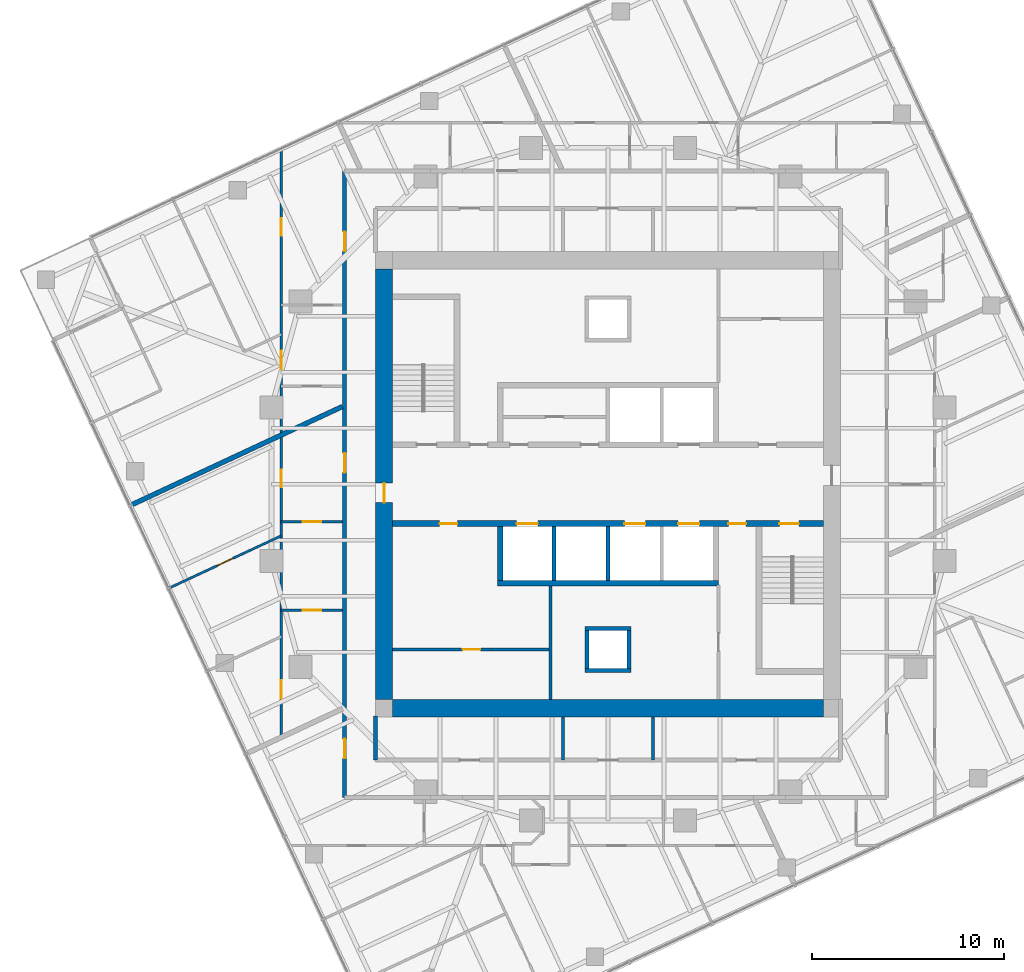
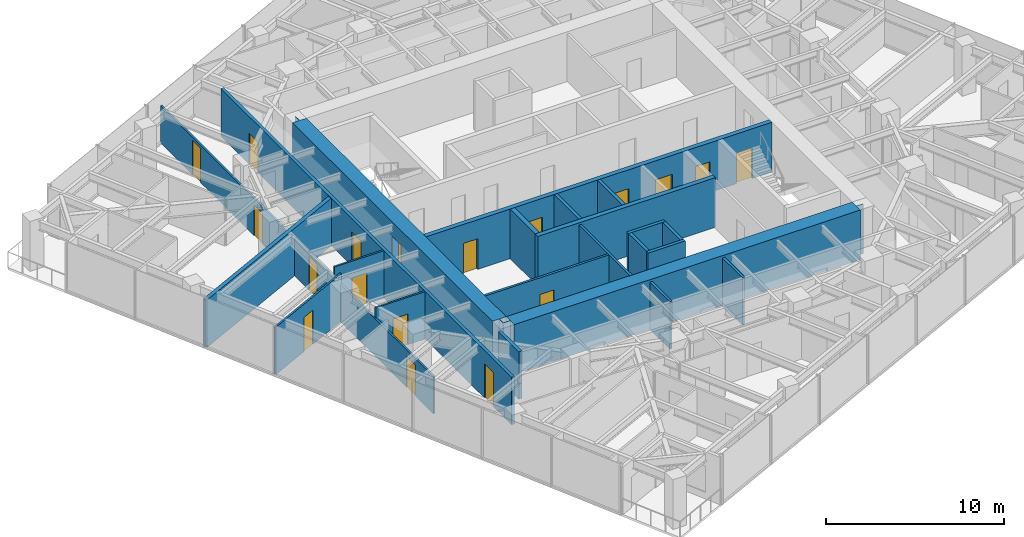
# One storey, part 8 of 13: 22 walls, 18 doors, 18 openings.
"""IFC4 building model written with IfcOpenShell, lengths in metres."""

from ifc_helpers import new_model, si_unit, direction, frame, frame_2d, origin, place, context, subcontext, project, spatial, polyline, rectangle, outline, extrude, material, layer, layer_set, type_object, element, fill, save


model = new_model("IFC4")

# Units and contexts
model_context = context("Model", 3, precision=1e-05, world=origin(), true_north=direction((0.0, 1.0)))
body_context = subcontext(model_context, "Body", "Model", "MODEL_VIEW")
ifc_project = project(units=[si_unit("LENGTHUNIT", "METRE"), si_unit("AREAUNIT", "SQUARE_METRE"), si_unit("VOLUMEUNIT", "CUBIC_METRE"), si_unit("PLANEANGLEUNIT", "RADIAN"), si_unit("MASSUNIT", "GRAM", prefix="KILO")], contexts=[model_context])

# Site, building, storey
site_placement = place(None, origin())
site = spatial("IfcSite", under=ifc_project, at=site_placement, CompositionType="ELEMENT")
building_placement = place(site_placement, origin())
building = spatial("IfcBuilding", under=site, at=building_placement, Name="Torsade Residences", CompositionType="ELEMENT")
storey_placement = place(building_placement, frame((0.0, 0.0, 179.39990234375)))
storey = spatial("IfcBuildingStorey", under=building, at=storey_placement, Name="L49", CompositionType="ELEMENT", Elevation=179.39990234375)

# Wall, openings, doors
ifc_material_1 = material(Name="Concrete 80 MPa", Category="concrete")
ifc_layer_1 = layer(ifc_material_1, 0.300048828125)
ifc_layer_set_1 = layer_set([ifc_layer_1], Name="Concrete 80 MPa")
wall_type_1 = type_object("IfcWallType", Name="CORE INTERNAL WALL 300", PredefinedType="SHEAR", material=ifc_layer_set_1)
wall_1_placement = place(storey_placement, frame((51.199951171875, 27.949951171875, 0.0), z_axis=(0.0, 0.0, 1.0), x_axis=(-1.0, 0.0, 0.0)))
wall_1 = element("IfcWall", 1, at=wall_1_placement, inside=storey, type_object=wall_type_1, Name="Core wall LS L49", PredefinedType="SHEAR", context=body_context, shape_type="SweptSolid", body=[
    extrude(rectangle(XDim=22.39990234375, YDim=0.300048828125, at=frame_2d((11.199951171875, 0.0))), origin(), (0.0, 0.0, 1.0), 3.400146484375),
])
opening_1_placement = place(wall_1_placement, frame((19.0400390625, 0.0, 0.0)))
opening_1 = element("IfcOpeningElement", 2, at=opening_1_placement, cuts=wall_1, Name="Opening D06", PredefinedType="OPENING", context=body_context, shape_type="SweptSolid", body=[
    extrude(rectangle(XDim=0.919921875, YDim=2.10009765625, at=frame_2d((0.4599609375, 1.050048828125))), frame((0.0, 0.159912109375, 0.0), z_axis=(0.0, -1.0, 0.0), x_axis=(1.0, 0.0, 0.0)), (0.0, 0.0, 1.0), 0.320068359375),
])
opening_2_placement = place(wall_1_placement, frame((1.264892578125, 0.0, 0.0)))
opening_2 = element("IfcOpeningElement", 3, at=opening_2_placement, cuts=wall_1, Name="Opening D03", PredefinedType="OPENING", context=body_context, shape_type="SweptSolid", body=[
    extrude(rectangle(XDim=1.02001953125, YDim=2.10009765625, at=frame_2d((0.510009765625, 1.050048828125))), frame((0.0, 0.159912109375, 0.0), z_axis=(0.0, -1.0, 0.0), x_axis=(1.0, 0.0, 0.0)), (0.0, 0.0, 1.0), 0.320068359375),
])
opening_3_placement = place(wall_1_placement, frame((4.014892578125, 0.0, 0.0)))
opening_3 = element("IfcOpeningElement", 4, at=opening_3_placement, cuts=wall_1, Name="Opening D06", PredefinedType="OPENING", context=body_context, shape_type="SweptSolid", body=[
    extrude(rectangle(XDim=0.919921875, YDim=2.10009765625, at=frame_2d((0.4599609375, 1.050048828125))), frame((0.0, 0.159912109375, 0.0), z_axis=(0.0, -1.0, 0.0), x_axis=(1.0, 0.0, 0.0)), (0.0, 0.0, 1.0), 0.320068359375),
])
opening_4_placement = place(wall_1_placement, frame((6.449951171875, 0.0, 0.0)))
opening_4 = element("IfcOpeningElement", 5, at=opening_4_placement, cuts=wall_1, Name="Opening LD", PredefinedType="OPENING", context=body_context, shape_type="SweptSolid", body=[
    extrude(rectangle(XDim=1.10009765625, YDim=2.10009765625, at=frame_2d((0.550048828125, 1.050048828125))), frame((0.0, 0.159912109375, 0.0), z_axis=(0.0, -1.0, 0.0), x_axis=(1.0, 0.0, 0.0)), (0.0, 0.0, 1.0), 0.320068359375),
])
opening_5_placement = place(wall_1_placement, frame((9.25, 0.0, 0.0)))
opening_5 = element("IfcOpeningElement", 6, at=opening_5_placement, cuts=wall_1, Name="Opening LD", PredefinedType="OPENING", context=body_context, shape_type="SweptSolid", body=[
    extrude(rectangle(XDim=1.10009765625, YDim=2.10009765625, at=frame_2d((0.550048828125, 1.050048828125))), frame((0.0, 0.159912109375, 0.0), z_axis=(0.0, -1.0, 0.0), x_axis=(1.0, 0.0, 0.0)), (0.0, 0.0, 1.0), 0.320068359375),
])
opening_6_placement = place(wall_1_placement, frame((14.85009765625, 0.0, 0.0)))
opening_6 = element("IfcOpeningElement", 7, at=opening_6_placement, cuts=wall_1, Name="Opening LD", PredefinedType="OPENING", context=body_context, shape_type="SweptSolid", body=[
    extrude(rectangle(XDim=1.10009765625, YDim=2.10009765625, at=frame_2d((0.550048828125, 1.050048828125))), frame((0.0, 0.159912109375, 0.0), z_axis=(0.0, -1.0, 0.0), x_axis=(1.0, 0.0, 0.0)), (0.0, 0.0, 1.0), 0.320068359375),
])
ifc_material_2 = material(Name="Steel-framed fire door", Category="steel")
door_type_1 = type_object("IfcDoorType", Name="FIRE DOOR 1020", OperationType="NOTDEFINED", PredefinedType="DOOR", material=ifc_material_2)
door_1_placement = place(opening_2_placement, origin())
door_1 = element("IfcDoor", 8, at=door_1_placement, inside=storey, type_object=door_type_1, Name="Exit door to fire-isolated stair ST2 L49", OperationType="SINGLE_SWING_RIGHT", OverallHeight=2.10009765625, OverallWidth=1.02001953125, PredefinedType="DOOR", context=body_context, shape_type="SweptSolid", body=[
    extrude(rectangle(XDim=1.02001953125, YDim=2.10009765625, at=frame_2d((0.510009765625, 1.050048828125))), frame((0.0, 0.02490234375, 0.0), z_axis=(0.0, -1.0, 0.0), x_axis=(1.0, 0.0, 0.0)), (0.0, 0.0, 1.0), 0.050048828125),
])
fill(opening_2, door_1)
ifc_material_3 = material(Name="Steel-framed fire door", Category="steel")
door_type_2 = type_object("IfcDoorType", Name="FIRE DOOR 920", OperationType="NOTDEFINED", PredefinedType="DOOR", material=ifc_material_3)
door_2_placement = place(opening_1_placement, origin())
door_2 = element("IfcDoor", 9, at=door_2_placement, inside=storey, type_object=door_type_2, Name="Door Lift lobby to Cleaner store", OperationType="SINGLE_SWING_LEFT", OverallHeight=2.10009765625, OverallWidth=0.919921875, PredefinedType="DOOR", context=body_context, shape_type="SweptSolid", body=[
    extrude(rectangle(XDim=0.919921875, YDim=2.10009765625, at=frame_2d((0.4599609375, 1.050048828125))), frame((0.0, 0.02490234375, 0.0), z_axis=(0.0, -1.0, 0.0), x_axis=(1.0, 0.0, 0.0)), (0.0, 0.0, 1.0), 0.050048828125),
])
fill(opening_1, door_2)
door_3_placement = place(opening_3_placement, origin())
door_3 = element("IfcDoor", 10, at=door_3_placement, inside=storey, type_object=door_type_2, Name="Door Lift lobby to Communications equipment store", OperationType="SINGLE_SWING_RIGHT", OverallHeight=2.10009765625, OverallWidth=0.919921875, PredefinedType="DOOR", context=body_context, shape_type="SweptSolid", body=[
    extrude(rectangle(XDim=0.919921875, YDim=2.10009765625, at=frame_2d((0.4599609375, 1.050048828125))), frame((0.0, 0.02490234375, 0.0), z_axis=(0.0, -1.0, 0.0), x_axis=(1.0, 0.0, 0.0)), (0.0, 0.0, 1.0), 0.050048828125),
])
fill(opening_3, door_3)
ifc_material_4 = material(Name="Stainless steel lift landing door", Category="steel")
door_type_3 = type_object("IfcDoorType", Name="LIFT LANDING DOOR 1100", OperationType="SLIDING_TO_LEFT", PredefinedType="DOOR", material=ifc_material_4)
door_4_placement = place(opening_4_placement, origin())
door_4 = element("IfcDoor", 11, at=door_4_placement, inside=storey, type_object=door_type_3, Name="Lift LB1 landing door L49", OperationType="SLIDING_TO_LEFT", OverallHeight=2.10009765625, OverallWidth=1.10009765625, PredefinedType="DOOR", context=body_context, shape_type="SweptSolid", body=[
    extrude(rectangle(XDim=1.10009765625, YDim=2.10009765625, at=frame_2d((0.550048828125, 1.050048828125))), frame((0.0, 0.02490234375, 0.0), z_axis=(0.0, -1.0, 0.0), x_axis=(1.0, 0.0, 0.0)), (0.0, 0.0, 1.0), 0.050048828125),
])
fill(opening_4, door_4)
door_5_placement = place(opening_5_placement, origin())
door_5 = element("IfcDoor", 12, at=door_5_placement, inside=storey, type_object=door_type_3, Name="Lift LB2 landing door L49", OperationType="SLIDING_TO_LEFT", OverallHeight=2.10009765625, OverallWidth=1.10009765625, PredefinedType="DOOR", context=body_context, shape_type="SweptSolid", body=[
    extrude(rectangle(XDim=1.10009765625, YDim=2.10009765625, at=frame_2d((0.550048828125, 1.050048828125))), frame((0.0, 0.02490234375, 0.0), z_axis=(0.0, -1.0, 0.0), x_axis=(1.0, 0.0, 0.0)), (0.0, 0.0, 1.0), 0.050048828125),
])
fill(opening_5, door_5)
door_6_placement = place(opening_6_placement, origin())
door_6 = element("IfcDoor", 13, at=door_6_placement, inside=storey, type_object=door_type_3, Name="Lift FL2 landing door L49", OperationType="SLIDING_TO_LEFT", OverallHeight=2.10009765625, OverallWidth=1.10009765625, PredefinedType="DOOR", context=body_context, shape_type="SweptSolid", body=[
    extrude(rectangle(XDim=1.10009765625, YDim=2.10009765625, at=frame_2d((0.550048828125, 1.050048828125))), frame((0.0, 0.02490234375, 0.0), z_axis=(0.0, -1.0, 0.0), x_axis=(1.0, 0.0, 0.0)), (0.0, 0.0, 1.0), 0.050048828125),
])
fill(opening_6, door_6)

# Walls
wall_2_placement = place(storey_placement, frame((45.75, 24.85009765625, 0.0), z_axis=(0.0, 0.0, 1.0), x_axis=(-1.0, 0.0, 0.0)))
element("IfcWall", 14, at=wall_2_placement, inside=storey, type_object=wall_type_1, Name="Core wall BS L49", PredefinedType="SHEAR", context=body_context, shape_type="SweptSolid", body=[
    extrude(rectangle(XDim=11.5, YDim=0.300048828125, at=frame_2d((5.75, 0.0))), origin(), (0.0, 0.0, 1.0), 3.400146484375),
])
wall_3_placement = place(storey_placement, frame((34.39990234375, 27.800048828125, 0.0), z_axis=(0.0, 0.0, 1.0), x_axis=(0.0, -1.0, 0.0)))
element("IfcWall", 15, at=wall_3_placement, inside=storey, type_object=wall_type_1, Name="Core wall DS4 L49", PredefinedType="SHEAR", context=body_context, shape_type="SweptSolid", body=[
    extrude(rectangle(XDim=2.800048828125, YDim=0.300048828125, at=frame_2d((1.39990234375, 0.0))), origin(), (0.0, 0.0, 1.0), 3.400146484375),
])
ifc_material_5 = material(Name="Concrete 80 MPa", Category="concrete")
ifc_layer_2 = layer(ifc_material_5, 0.89990234375)
ifc_layer_set_2 = layer_set([ifc_layer_2], Name="Concrete 80 MPa")
wall_type_2 = type_object("IfcWallType", Name="CORE WALL 900", PredefinedType="SHEAR", material=ifc_layer_set_2)
wall_4_placement = place(storey_placement, frame((51.199951171875, 18.35009765625, 0.0), z_axis=(0.0, 0.0, 1.0), x_axis=(-1.0, 0.0, 0.0)))
element("IfcWall", 16, at=wall_4_placement, inside=storey, type_object=wall_type_2, Name="Core wall S L49", PredefinedType="SHEAR", context=body_context, shape_type="SweptSolid", body=[
    extrude(outline(polyline([(0.0, -0.449951171875), (22.39990234375, -0.449951171875), (22.39990234375, -0.02490234375), (22.849853515625, -0.02490234375), (22.849853515625, 0.02490234375), (22.39990234375, 0.02490234375), (22.39990234375, 0.449951171875), (0.0, 0.449951171875), (0.0, 0.02490234375), (-0.449951171875, 0.02490234375), (-0.449951171875, -0.02490234375), (0.0, -0.02490234375), (0.0, -0.449951171875)])), origin(), (0.0, 0.0, 1.0), 3.400146484375),
])

# Wall, opening, door
wall_5_placement = place(storey_placement, frame((28.35009765625, 41.199951171875, 0.0), z_axis=(0.0, 0.0, 1.0), x_axis=(0.0, -1.0, 0.0)))
wall_5 = element("IfcWall", 17, at=wall_5_placement, inside=storey, type_object=wall_type_2, Name="Core wall W L49", PredefinedType="SHEAR", context=body_context, shape_type="SweptSolid", body=[
    extrude(outline(polyline([(0.0, -0.449951171875), (22.39990234375, -0.449951171875), (22.39990234375, -0.02490234375), (22.849853515625, -0.02490234375), (22.849853515625, 0.02490234375), (22.39990234375, 0.02490234375), (22.39990234375, 0.449951171875), (0.0, 0.449951171875), (0.0, 0.02490234375), (-0.449951171875, 0.02490234375), (-0.449951171875, -0.02490234375), (0.0, -0.02490234375), (0.0, -0.449951171875)])), origin(), (0.0, 0.0, 1.0), 3.400146484375),
])
opening_7_placement = place(wall_5_placement, frame((11.139892578125, 0.0, 0.0)))
opening_7 = element("IfcOpeningElement", 18, at=opening_7_placement, cuts=wall_5, Name="Opening D04", PredefinedType="OPENING", context=body_context, shape_type="SweptSolid", body=[
    extrude(rectangle(XDim=1.02001953125, YDim=2.39990234375, at=frame_2d((0.510009765625, 1.199951171875))), frame((0.0, 0.4599609375, 0.0), z_axis=(0.0, -1.0, 0.0), x_axis=(1.0, 0.0, 0.0)), (0.0, 0.0, 1.0), 0.919921875),
])
ifc_material_6 = material(Name="Steel-framed fire door", Category="steel")
door_type_4 = type_object("IfcDoorType", Name="LOBBY SMOKE DOOR 1020x2400", OperationType="NOTDEFINED", PredefinedType="DOOR", material=ifc_material_6)
door_7_placement = place(opening_7_placement, origin())
door_7 = element("IfcDoor", 19, at=door_7_placement, inside=storey, type_object=door_type_4, Name="Lift lobby door W L49", OperationType="SINGLE_SWING_RIGHT", OverallHeight=2.39990234375, OverallWidth=1.02001953125, PredefinedType="DOOR", context=body_context, shape_type="SweptSolid", body=[
    extrude(rectangle(XDim=1.02001953125, YDim=2.39990234375, at=frame_2d((0.510009765625, 1.199951171875))), frame((0.0, 0.02490234375, 0.0), z_axis=(0.0, -1.0, 0.0), x_axis=(1.0, 0.0, 0.0)), (0.0, 0.0, 1.0), 0.050048828125),
])
fill(opening_7, door_7)

# Wall, openings, doors
ifc_material_7 = material(Name="Plasterboard on steel stud", Category="steel")
ifc_layer_3 = layer(ifc_material_7, 0.199951171875)
ifc_layer_set_3 = layer_set([ifc_layer_3], Name="Plasterboard on steel stud")
wall_type_3 = type_object("IfcWallType", Name="CORRIDOR WALL 200", PredefinedType="PARTITIONING", material=ifc_layer_set_3)
wall_6_placement = place(storey_placement, frame((26.300048828125, 46.300048828125, 0.0), z_axis=(0.0, 0.0, 1.0), x_axis=(0.0, -1.0, 0.0)))
wall_6 = element("IfcWall", 20, at=wall_6_placement, inside=storey, type_object=wall_type_3, Name="Corridor wall L49", PredefinedType="PARTITIONING", context=body_context, shape_type="SweptSolid", body=[
    extrude(rectangle(XDim=32.60009765625, YDim=0.199951171875, at=frame_2d((16.300048828125, 0.0))), origin(), (0.0, 0.0, 1.0), 3.25),
])
opening_8_placement = place(wall_6_placement, frame((3.156005859375, 0.0, 0.0)))
opening_8 = element("IfcOpeningElement", 21, at=opening_8_placement, cuts=wall_6, Name="Opening D01L", PredefinedType="OPENING", context=body_context, shape_type="SweptSolid", body=[
    extrude(rectangle(XDim=1.02001953125, YDim=2.10009765625, at=frame_2d((0.510009765625, 1.050048828125))), frame((0.0, 0.10986328125, 0.0), z_axis=(0.0, -1.0, 0.0), x_axis=(1.0, 0.0, 0.0)), (0.0, 0.0, 1.0), 0.219970703125),
])
opening_9_placement = place(wall_6_placement, frame((14.68017578125, 0.0, 0.0)))
opening_9 = element("IfcOpeningElement", 22, at=opening_9_placement, cuts=wall_6, Name="Opening D01", PredefinedType="OPENING", context=body_context, shape_type="SweptSolid", body=[
    extrude(rectangle(XDim=1.02001953125, YDim=2.340087890625, at=frame_2d((0.510009765625, 1.169921875))), frame((0.0, 0.10986328125, 0.0), z_axis=(0.0, -1.0, 0.0), x_axis=(1.0, 0.0, 0.0)), (0.0, 0.0, 1.0), 0.219970703125),
])
opening_10_placement = place(wall_6_placement, frame((29.54345703125, 0.0, 0.0)))
opening_10 = element("IfcOpeningElement", 23, at=opening_10_placement, cuts=wall_6, Name="Opening D01", PredefinedType="OPENING", context=body_context, shape_type="SweptSolid", body=[
    extrude(rectangle(XDim=1.02001953125, YDim=2.340087890625, at=frame_2d((0.510009765625, 1.169921875))), frame((0.0, 0.10986328125, 0.0), z_axis=(0.0, -1.0, 0.0), x_axis=(1.0, 0.0, 0.0)), (0.0, 0.0, 1.0), 0.219970703125),
])
ifc_material_8 = material(Name="Solid-core timber fire door", Category="wood")
door_type_5 = type_object("IfcDoorType", Name="APARTMENT ENTRY DOOR 1020x2100", OperationType="NOTDEFINED", PredefinedType="DOOR", material=ifc_material_8)
door_8_placement = place(opening_8_placement, origin())
door_8 = element("IfcDoor", 24, at=door_8_placement, inside=storey, type_object=door_type_5, Name="Door Residential corridor to Kitchen and dining", OperationType="SINGLE_SWING_LEFT", OverallHeight=2.10009765625, OverallWidth=1.02001953125, PredefinedType="DOOR", context=body_context, shape_type="SweptSolid", body=[
    extrude(rectangle(XDim=1.02001953125, YDim=2.10009765625, at=frame_2d((0.510009765625, 1.050048828125))), frame((0.0, 0.02490234375, 0.0), z_axis=(0.0, -1.0, 0.0), x_axis=(1.0, 0.0, 0.0)), (0.0, 0.0, 1.0), 0.050048828125),
])
fill(opening_8, door_8)
ifc_material_9 = material(Name="Solid-core timber fire door", Category="wood")
door_type_6 = type_object("IfcDoorType", Name="APARTMENT ENTRY DOOR 1020x2340", OperationType="NOTDEFINED", PredefinedType="DOOR", material=ifc_material_9)
door_9_placement = place(opening_9_placement, origin())
door_9 = element("IfcDoor", 25, at=door_9_placement, inside=storey, type_object=door_type_6, Name="Door Residential corridor to Kitchen and dining", OperationType="SINGLE_SWING_RIGHT", OverallHeight=2.340087890625, OverallWidth=1.02001953125, PredefinedType="DOOR", context=body_context, shape_type="SweptSolid", body=[
    extrude(rectangle(XDim=1.02001953125, YDim=2.340087890625, at=frame_2d((0.510009765625, 1.169921875))), frame((0.0, 0.02490234375, 0.0), z_axis=(0.0, -1.0, 0.0), x_axis=(1.0, 0.0, 0.0)), (0.0, 0.0, 1.0), 0.050048828125),
])
fill(opening_9, door_9)
door_10_placement = place(opening_10_placement, origin())
door_10 = element("IfcDoor", 26, at=door_10_placement, inside=storey, type_object=door_type_6, Name="Door Residential corridor to Kitchen and dining", OperationType="SINGLE_SWING_RIGHT", OverallHeight=2.340087890625, OverallWidth=1.02001953125, PredefinedType="DOOR", context=body_context, shape_type="SweptSolid", body=[
    extrude(rectangle(XDim=1.02001953125, YDim=2.340087890625, at=frame_2d((0.510009765625, 1.169921875))), frame((0.0, 0.02490234375, 0.0), z_axis=(0.0, -1.0, 0.0), x_axis=(1.0, 0.0, 0.0)), (0.0, 0.0, 1.0), 0.050048828125),
])
fill(opening_10, door_10)

# Walls
wall_7_placement = place(storey_placement, frame((27.89990234375, 17.949951171875, 0.0), z_axis=(0.0, 0.0, 1.0), x_axis=(0.0, -1.0, 0.0)))
element("IfcWall", 27, at=wall_7_placement, inside=storey, type_object=wall_type_3, Name="Corridor wall L49", PredefinedType="PARTITIONING", context=body_context, shape_type="SweptSolid", body=[
    extrude(rectangle(XDim=2.300048828125, YDim=0.199951171875, at=frame_2d((1.14990234375, 0.0))), origin(), (0.0, 0.0, 1.0), 3.25),
])
ifc_material_10 = material(Name="Reinforced blockwork", Category="masonry")
ifc_layer_4 = layer(ifc_material_10, 0.199951171875)
ifc_layer_set_4 = layer_set([ifc_layer_4], Name="Reinforced blockwork")
wall_type_4 = type_object("IfcWallType", Name="LIFT SHAFT DIVIDING WALL 200", PredefinedType="SOLIDWALL", material=ifc_layer_set_4)
for number, where, z_axis, x_axis, name in (
    (28, (40.0, 27.800048828125, 0.0), (0.0, 0.0, 1.0), (0.0, -1.0, 0.0), "Core wall DS2 L49"),
    (29, (37.199951171875, 27.800048828125, 0.0), (0.0, 0.0, 1.0), (0.0, -1.0, 0.0), "Core wall DS3 L49"),
):
    element("IfcWall", number, at=place(storey_placement, frame(where, z_axis=z_axis, x_axis=x_axis)), inside=storey, type_object=wall_type_4, Name=name, PredefinedType="SOLIDWALL", context=body_context, shape_type="SweptSolid", body=[
        extrude(rectangle(XDim=2.800048828125, YDim=0.199951171875, at=frame_2d((1.39990234375, 0.0))), origin(), (0.0, 0.0, 1.0), 3.400146484375),
    ])

# Wall, opening, door
ifc_material_11 = material(Name="Plasterboard on steel stud", Category="steel")
ifc_layer_5 = layer(ifc_material_11, 0.1201171875)
ifc_layer_set_5 = layer_set([ifc_layer_5], Name="Plasterboard on steel stud")
wall_type_5 = type_object("IfcWallType", Name="PARTITION 120", PredefinedType="PARTITIONING", material=ifc_layer_set_5)
wall_8_placement = place(storey_placement, frame((26.199951171875, 28.0537109375, 0.0), z_axis=(0.0, 0.0, 1.0), x_axis=(-1.0, 0.0, 0.0)))
wall_8 = element("IfcWall", 30, at=wall_8_placement, inside=storey, type_object=wall_type_5, Name="Partition L49", PredefinedType="PARTITIONING", context=body_context, shape_type="SweptSolid", body=[
    extrude(rectangle(XDim=3.199951171875, YDim=0.1201171875, at=frame_2d((1.60009765625, 0.0))), origin(), (0.0, 0.0, 1.0), 3.25),
])
opening_11_placement = place(wall_8_placement, frame((1.1201171875, 0.0, 0.0)))
opening_11 = element("IfcOpeningElement", 31, at=opening_11_placement, cuts=wall_8, Name="Opening D05", PredefinedType="OPENING", context=body_context, shape_type="SweptSolid", body=[
    extrude(rectangle(XDim=0.9599609375, YDim=2.10009765625, at=frame_2d((0.47998046875, 1.050048828125))), frame((0.0, 0.070068359375, 0.0), z_axis=(0.0, -1.0, 0.0), x_axis=(1.0, 0.0, 0.0)), (0.0, 0.0, 1.0), 0.14013671875),
])
ifc_material_12 = material(Name="Hollow-core timber door in a steel cavity frame", Category="steel")
door_type_7 = type_object("IfcDoorType", Name="BATHROOM CAVITY SLIDING DOOR 960", OperationType="SLIDING_TO_LEFT", PredefinedType="DOOR", material=ifc_material_12)
door_11_placement = place(opening_11_placement, origin())
door_11 = element("IfcDoor", 32, at=door_11_placement, inside=storey, type_object=door_type_7, Name="Door Kitchen and dining to Ensuite", OperationType="SLIDING_TO_LEFT", OverallHeight=2.10009765625, OverallWidth=0.9599609375, PredefinedType="DOOR", context=body_context, shape_type="SweptSolid", body=[
    extrude(rectangle(XDim=0.9599609375, YDim=2.10009765625, at=frame_2d((0.47998046875, 1.050048828125))), frame((0.0, 0.02490234375, 0.0), z_axis=(0.0, -1.0, 0.0), x_axis=(1.0, 0.0, 0.0)), (0.0, 0.0, 1.0), 0.050048828125),
])
fill(opening_11, door_11)

# Wall, openings, doors
wall_9_placement = place(storey_placement, frame((23.0, 16.831787109375, 0.0), z_axis=(0.0, 0.0, 1.0), x_axis=(0.0, 1.0, 0.0)))
wall_9 = element("IfcWall", 33, at=wall_9_placement, inside=storey, type_object=wall_type_5, Name="Partition L49", PredefinedType="PARTITIONING", context=body_context, shape_type="SweptSolid", body=[
    extrude(rectangle(XDim=30.574462890625, YDim=0.1201171875, at=frame_2d((15.287109375, 0.0))), origin(), (0.0, 0.0, 1.0), 2.550048828125),
])
opening_12_placement = place(wall_9_placement, frame((26.092529296875, 0.0, 0.0)))
opening_12 = element("IfcOpeningElement", 34, at=opening_12_placement, cuts=wall_9, Name="Opening D02", PredefinedType="OPENING", context=body_context, shape_type="SweptSolid", body=[
    extrude(rectangle(XDim=0.919921875, YDim=2.340087890625, at=frame_2d((0.4599609375, 1.169921875))), frame((0.0, 0.070068359375, 0.0), z_axis=(0.0, -1.0, 0.0), x_axis=(1.0, 0.0, 0.0)), (0.0, 0.0, 1.0), 0.14013671875),
])
opening_13_placement = place(wall_9_placement, frame((13.012451171875, 0.0, 0.0)))
opening_13 = element("IfcOpeningElement", 35, at=opening_13_placement, cuts=wall_9, Name="Opening D02", PredefinedType="OPENING", context=body_context, shape_type="SweptSolid", body=[
    extrude(rectangle(XDim=0.919921875, YDim=2.340087890625, at=frame_2d((0.4599609375, 1.169921875))), frame((0.0, 0.070068359375, 0.0), z_axis=(0.0, -1.0, 0.0), x_axis=(1.0, 0.0, 0.0)), (0.0, 0.0, 1.0), 0.14013671875),
])
opening_14_placement = place(wall_9_placement, frame((19.159912109375, 0.0, 0.0)))
opening_14 = element("IfcOpeningElement", 36, at=opening_14_placement, cuts=wall_9, Name="Opening D05", PredefinedType="OPENING", context=body_context, shape_type="SweptSolid", body=[
    extrude(rectangle(XDim=0.9599609375, YDim=2.10009765625, at=frame_2d((0.47998046875, 1.050048828125))), frame((0.0, 0.070068359375, 0.0), z_axis=(0.0, -1.0, 0.0), x_axis=(1.0, 0.0, 0.0)), (0.0, 0.0, 1.0), 0.14013671875),
])
opening_15_placement = place(wall_9_placement, frame((2.01806640625, 0.0, 0.0)))
opening_15 = element("IfcOpeningElement", 37, at=opening_15_placement, cuts=wall_9, Name="Opening D05", PredefinedType="OPENING", context=body_context, shape_type="SweptSolid", body=[
    extrude(rectangle(XDim=0.9599609375, YDim=2.10009765625, at=frame_2d((0.47998046875, 1.050048828125))), frame((0.0, 0.070068359375, 0.0), z_axis=(0.0, -1.0, 0.0), x_axis=(1.0, 0.0, 0.0)), (0.0, 0.0, 1.0), 0.14013671875),
])
door_12_placement = place(opening_14_placement, origin())
door_12 = element("IfcDoor", 38, at=door_12_placement, inside=storey, type_object=door_type_7, Name="Door Bathroom to Living room", OperationType="SLIDING_TO_LEFT", OverallHeight=2.10009765625, OverallWidth=0.9599609375, PredefinedType="DOOR", context=body_context, shape_type="SweptSolid", body=[
    extrude(rectangle(XDim=0.9599609375, YDim=2.10009765625, at=frame_2d((0.47998046875, 1.050048828125))), frame((0.0, 0.02490234375, 0.0), z_axis=(0.0, -1.0, 0.0), x_axis=(1.0, 0.0, 0.0)), (0.0, 0.0, 1.0), 0.050048828125),
])
fill(opening_14, door_12)
door_13_placement = place(opening_15_placement, origin())
door_13 = element("IfcDoor", 39, at=door_13_placement, inside=storey, type_object=door_type_7, Name="Door Bathroom to Bedroom 2", OperationType="SLIDING_TO_LEFT", OverallHeight=2.10009765625, OverallWidth=0.9599609375, PredefinedType="DOOR", context=body_context, shape_type="SweptSolid", body=[
    extrude(rectangle(XDim=0.9599609375, YDim=2.10009765625, at=frame_2d((0.47998046875, 1.050048828125))), frame((0.0, 0.02490234375, 0.0), z_axis=(0.0, -1.0, 0.0), x_axis=(1.0, 0.0, 0.0)), (0.0, 0.0, 1.0), 0.050048828125),
])
fill(opening_15, door_13)
ifc_material_13 = material(Name="Hollow-core timber door", Category="wood")
door_type_8 = type_object("IfcDoorType", Name="INTERNAL DOOR 920x2340", OperationType="NOTDEFINED", PredefinedType="DOOR", material=ifc_material_13)
door_14_placement = place(opening_12_placement, origin())
door_14 = element("IfcDoor", 40, at=door_14_placement, inside=storey, type_object=door_type_8, Name="Door Kitchen and dining to Bedroom 1", OperationType="SINGLE_SWING_LEFT", OverallHeight=2.340087890625, OverallWidth=0.919921875, PredefinedType="DOOR", context=body_context, shape_type="SweptSolid", body=[
    extrude(rectangle(XDim=0.919921875, YDim=2.340087890625, at=frame_2d((0.4599609375, 1.169921875))), frame((0.0, 0.02490234375, 0.0), z_axis=(0.0, -1.0, 0.0), x_axis=(1.0, 0.0, 0.0)), (0.0, 0.0, 1.0), 0.050048828125),
])
fill(opening_12, door_14)
door_15_placement = place(opening_13_placement, origin())
door_15 = element("IfcDoor", 41, at=door_15_placement, inside=storey, type_object=door_type_8, Name="Door Kitchen and dining to Living room", OperationType="SINGLE_SWING_RIGHT", OverallHeight=2.340087890625, OverallWidth=0.919921875, PredefinedType="DOOR", context=body_context, shape_type="SweptSolid", body=[
    extrude(rectangle(XDim=0.919921875, YDim=2.340087890625, at=frame_2d((0.4599609375, 1.169921875))), frame((0.0, 0.02490234375, 0.0), z_axis=(0.0, -1.0, 0.0), x_axis=(1.0, 0.0, 0.0)), (0.0, 0.0, 1.0), 0.050048828125),
])
fill(opening_13, door_15)

# Wall, opening, door
wall_10_placement = place(storey_placement, frame((23.0, 23.436279296875, 0.0), z_axis=(0.0, 0.0, 1.0), x_axis=(1.0, 0.0, 0.0)))
wall_10 = element("IfcWall", 42, at=wall_10_placement, inside=storey, type_object=wall_type_5, Name="Partition L49", PredefinedType="PARTITIONING", context=body_context, shape_type="SweptSolid", body=[
    extrude(rectangle(XDim=3.199951171875, YDim=0.1201171875, at=frame_2d((1.60009765625, 0.0))), origin(), (0.0, 0.0, 1.0), 3.25),
])
opening_16_placement = place(wall_10_placement, frame((1.1201171875, 0.0, 0.0)))
opening_16 = element("IfcOpeningElement", 43, at=opening_16_placement, cuts=wall_10, Name="Opening D05", PredefinedType="OPENING", context=body_context, shape_type="SweptSolid", body=[
    extrude(rectangle(XDim=0.9599609375, YDim=2.10009765625, at=frame_2d((0.47998046875, 1.050048828125))), frame((0.0, 0.070068359375, 0.0), z_axis=(0.0, -1.0, 0.0), x_axis=(1.0, 0.0, 0.0)), (0.0, 0.0, 1.0), 0.14013671875),
])
door_16_placement = place(opening_16_placement, origin())
door_16 = element("IfcDoor", 44, at=door_16_placement, inside=storey, type_object=door_type_7, Name="Door Ensuite to Bathroom", OperationType="SLIDING_TO_LEFT", OverallHeight=2.10009765625, OverallWidth=0.9599609375, PredefinedType="DOOR", context=body_context, shape_type="SweptSolid", body=[
    extrude(rectangle(XDim=0.9599609375, YDim=2.10009765625, at=frame_2d((0.47998046875, 1.050048828125))), frame((0.0, 0.02490234375, 0.0), z_axis=(0.0, -1.0, 0.0), x_axis=(1.0, 0.0, 0.0)), (0.0, 0.0, 1.0), 0.050048828125),
])
fill(opening_16, door_16)

wall_11_placement = place(storey_placement, frame((23.0, 27.313720703125, 0.0), z_axis=(0.0, 0.0, 1.0), x_axis=(-0.906305562553, -0.422623032129, 0.0)))
wall_11 = element("IfcWall", 45, at=wall_11_placement, inside=storey, type_object=wall_type_5, Name="Partition L49", PredefinedType="PARTITIONING", context=body_context, shape_type="SweptSolid", body=[
    extrude(rectangle(XDim=6.41748046875, YDim=0.1201171875, at=frame_2d((3.208740234375, 0.0))), origin(), (0.0, 0.0, 1.0), 3.25),
])
opening_17_placement = place(wall_11_placement, frame((2.768798828125, 0.0, 0.0)))
opening_17 = element("IfcOpeningElement", 46, at=opening_17_placement, cuts=wall_11, Name="Opening D02", PredefinedType="OPENING", context=body_context, shape_type="SweptSolid", body=[
    extrude(rectangle(XDim=0.919921875, YDim=2.340087890625, at=frame_2d((0.4599609375, 1.169921875))), frame((0.0, 0.070068359375, 0.0), z_axis=(0.0, -1.0, 0.0), x_axis=(1.0, 0.0, 0.0)), (0.0, 0.0, 1.0), 0.14013671875),
])
door_17_placement = place(opening_17_placement, origin())
door_17 = element("IfcDoor", 47, at=door_17_placement, inside=storey, type_object=door_type_8, Name="Door Living room to Bedroom 1", OperationType="SINGLE_SWING_LEFT", OverallHeight=2.340087890625, OverallWidth=0.919921875, PredefinedType="DOOR", context=body_context, shape_type="SweptSolid", body=[
    extrude(rectangle(XDim=0.919921875, YDim=2.340087890625, at=frame_2d((0.4599609375, 1.169921875))), frame((0.0, 0.02490234375, 0.0), z_axis=(0.0, -1.0, 0.0), x_axis=(1.0, 0.0, 0.0)), (0.0, 0.0, 1.0), 0.050048828125),
])
fill(opening_17, door_17)

# Walls
ifc_material_14 = material(Name="Masonry-lined stud party wall", Category="masonry")
ifc_layer_6 = layer(ifc_material_14, 0.25)
ifc_layer_set_6 = layer_set([ifc_layer_6], Name="Masonry-lined stud party wall")
wall_type_6 = type_object("IfcWallType", Name="PARTY WALL 250", PredefinedType="PARTITIONING", material=ifc_layer_set_6)
wall_12_placement = place(storey_placement, frame((15.14013671875, 28.8896484375, 0.0), z_axis=(0.0, 0.0, 1.0), x_axis=(0.906303906082, 0.422626584374, 0.0)))
element("IfcWall", 48, at=wall_12_placement, inside=storey, type_object=wall_type_6, Name="Party wall L49", PredefinedType="PARTITIONING", context=body_context, shape_type="SweptSolid", body=[
    extrude(rectangle(XDim=12.184814453125, YDim=0.25, at=frame_2d((6.09228515625, 0.0))), origin(), (0.0, 0.0, 1.0), 3.25),
])
ifc_material_15 = material(Name="Reinforced blockwork", Category="masonry")
ifc_layer_7 = layer(ifc_material_15, 0.199951171875)
ifc_layer_set_7 = layer_set([ifc_layer_7], Name="Reinforced blockwork")
wall_type_7 = type_object("IfcWallType", Name="RISER SHAFT WALL 200", PredefinedType="SOLIDWALL", material=ifc_layer_set_7)
for number, where, z_axis, x_axis, name in (
    (49, (38.89990234375, 22.39990234375, 0.0), (0.0, 0.0, 1.0), (0.0, -1.0, 0.0), "Core wall RS2a L49"),
    (50, (41.10009765625, 22.39990234375, 0.0), (0.0, 0.0, 1.0), (0.0, -1.0, 0.0), "Core wall RS2b L49"),
):
    element("IfcWall", number, at=place(storey_placement, frame(where, z_axis=z_axis, x_axis=x_axis)), inside=storey, type_object=wall_type_7, Name=name, PredefinedType="SOLIDWALL", context=body_context, shape_type="SweptSolid", body=[
        extrude(rectangle(XDim=2.0, YDim=0.199951171875, at=frame_2d((1.0, 0.0))), origin(), (0.0, 0.0, 1.0), 3.400146484375),
    ])
for number, where, z_axis, x_axis, name in (
    (51, (38.800048828125, 22.5, 0.0), (0.0, 0.0, 1.0), (1.0, 0.0, 0.0), "Core wall RS2c L49"),
    (52, (38.800048828125, 20.300048828125, 0.0), (0.0, 0.0, 1.0), (1.0, 0.0, 0.0), "Core wall RS2d L49"),
):
    element("IfcWall", number, at=place(storey_placement, frame(where, z_axis=z_axis, x_axis=x_axis)), inside=storey, type_object=wall_type_7, Name=name, PredefinedType="SOLIDWALL", context=body_context, shape_type="SweptSolid", body=[
        extrude(rectangle(XDim=2.39990234375, YDim=0.199951171875, at=frame_2d((1.199951171875, 0.0))), origin(), (0.0, 0.0, 1.0), 3.400146484375),
    ])
ifc_material_16 = material(Name="Reinforced blockwork", Category="masonry")
ifc_layer_8 = layer(ifc_material_16, 0.14990234375)
ifc_layer_set_8 = layer_set([ifc_layer_8], Name="Reinforced blockwork")
wall_type_8 = type_object("IfcWallType", Name="SERVICE ROOM WALL 150", PredefinedType="SOLIDWALL", material=ifc_layer_set_8)
wall_13_placement = place(storey_placement, frame((37.0, 18.800048828125, 0.0), z_axis=(0.0, 0.0, 1.0), x_axis=(0.0, 1.0, 0.0)))
element("IfcWall", 53, at=wall_13_placement, inside=storey, type_object=wall_type_8, Name="Service room wall L49", PredefinedType="SOLIDWALL", context=body_context, shape_type="SweptSolid", body=[
    extrude(rectangle(XDim=5.89990234375, YDim=0.14990234375, at=frame_2d((2.949951171875, 0.0))), origin(), (0.0, 0.0, 1.0), 3.25),
])

# Wall, opening, door
wall_14_placement = place(storey_placement, frame((37.0, 21.39990234375, 0.0), z_axis=(0.0, 0.0, 1.0), x_axis=(-1.0, 0.0, 0.0)))
wall_14 = element("IfcWall", 54, at=wall_14_placement, inside=storey, type_object=wall_type_8, Name="Service room wall L49", PredefinedType="SOLIDWALL", context=body_context, shape_type="SweptSolid", body=[
    extrude(rectangle(XDim=8.199951171875, YDim=0.14990234375, at=frame_2d((4.10009765625, 0.0))), origin(), (0.0, 0.0, 1.0), 3.25),
])
opening_18_placement = place(wall_14_placement, frame((3.639892578125, 0.0, 0.0)))
opening_18 = element("IfcOpeningElement", 55, at=opening_18_placement, cuts=wall_14, Name="Opening D06", PredefinedType="OPENING", context=body_context, shape_type="SweptSolid", body=[
    extrude(rectangle(XDim=0.919921875, YDim=2.10009765625, at=frame_2d((0.4599609375, 1.050048828125))), frame((0.0, 0.0849609375, 0.0), z_axis=(0.0, -1.0, 0.0), x_axis=(1.0, 0.0, 0.0)), (0.0, 0.0, 1.0), 0.169921875),
])
door_18_placement = place(opening_18_placement, origin())
door_18 = element("IfcDoor", 56, at=door_18_placement, inside=storey, type_object=door_type_2, Name="Door Cleaner store to Sprinkler valve room", OperationType="SINGLE_SWING_RIGHT", OverallHeight=2.10009765625, OverallWidth=0.919921875, PredefinedType="DOOR", context=body_context, shape_type="SweptSolid", body=[
    extrude(rectangle(XDim=0.919921875, YDim=2.10009765625, at=frame_2d((0.4599609375, 1.050048828125))), frame((0.0, 0.02490234375, 0.0), z_axis=(0.0, -1.0, 0.0), x_axis=(1.0, 0.0, 0.0)), (0.0, 0.0, 1.0), 0.050048828125),
])
fill(opening_18, door_18)

# Walls
for number, where, z_axis, x_axis, name in (
    (57, (37.652587890625, 15.64990234375, 0.0), (0.0, 0.0, 1.0), (0.0, 1.0, 0.0), "Service room wall L49"),
    (58, (42.347412109375, 15.64990234375, 0.0), (0.0, 0.0, 1.0), (0.0, 1.0, 0.0), "Service room wall L49"),
):
    element("IfcWall", number, at=place(storey_placement, frame(where, z_axis=z_axis, x_axis=x_axis)), inside=storey, type_object=wall_type_8, Name=name, PredefinedType="SOLIDWALL", context=body_context, shape_type="SweptSolid", body=[
        extrude(rectangle(XDim=2.25, YDim=0.14990234375, at=frame_2d((1.125, 0.0))), origin(), (0.0, 0.0, 1.0), 3.25),
    ])

save(model, "model.ifc")
